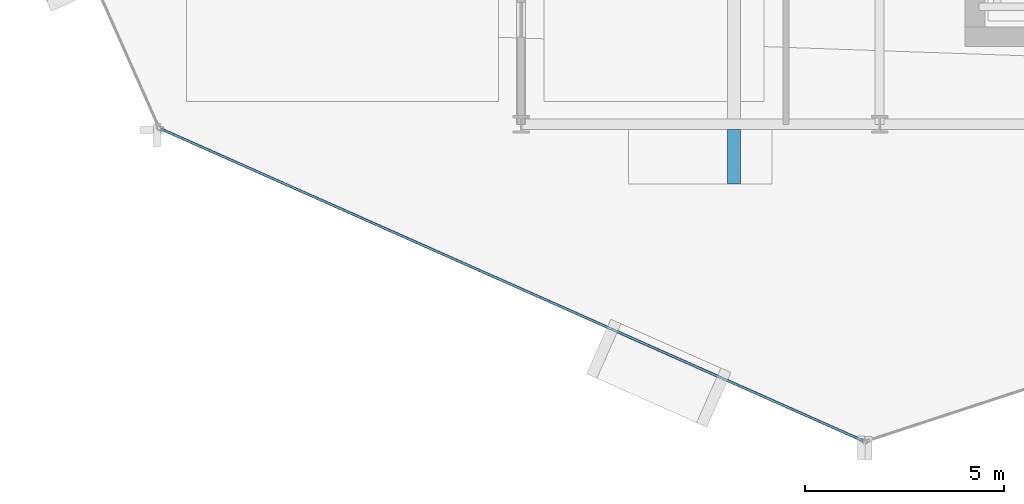
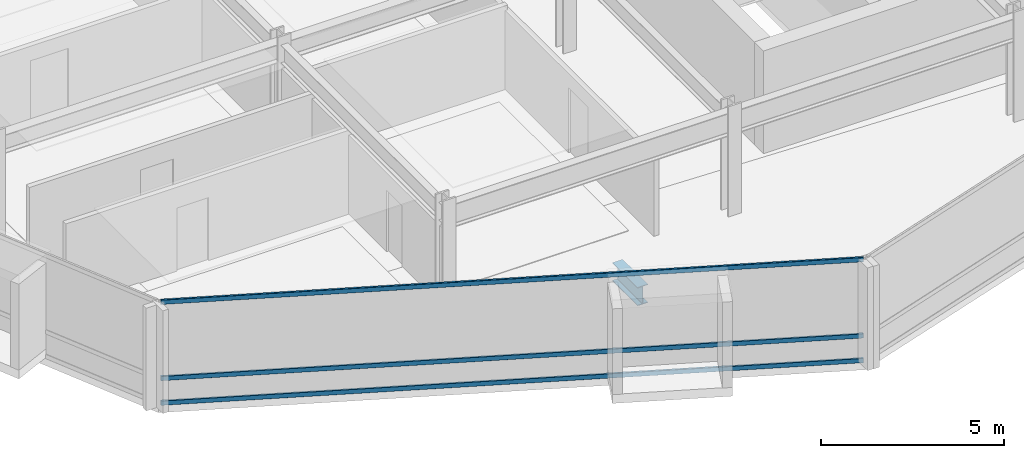
# One storey, part 3 of 29: 3 members, 1 beam, 1 element without a shape of its own.
"""IFC4 building model written with IfcOpenShell, lengths in metres."""

from ifc_helpers import new_model, si_unit, direction, frame, origin, origin_2d, place, context, subcontext, project, spatial, hollow_rectangle, i_section, extrude, material, layer, layer_set, material_profile, profile_set, type_object, element, aggregate, save


model = new_model("IFC4")

# Units and contexts
model_context = context("Model", 3, precision=1e-05, world=origin(), true_north=direction((0.0, 1.0)))
body_context = subcontext(model_context, "Body", "Model", "MODEL_VIEW")
ifc_project = project(units=[si_unit("LENGTHUNIT", "METRE"), si_unit("AREAUNIT", "SQUARE_METRE"), si_unit("VOLUMEUNIT", "CUBIC_METRE"), si_unit("PLANEANGLEUNIT", "RADIAN"), si_unit("MASSUNIT", "GRAM", prefix="KILO")], contexts=[model_context])

# Site, building, storey
site_placement = place(None, origin())
site = spatial("IfcSite", under=ifc_project, at=site_placement, CompositionType="ELEMENT")
building_placement = place(site_placement, origin())
building = spatial("IfcBuilding", under=site, at=building_placement, Name="Solvaryn Broadcast Tower", CompositionType="ELEMENT")
storey_placement = place(building_placement, frame((0.0, 0.0, 147.0)))
storey = spatial("IfcBuildingStorey", under=building, at=storey_placement, Name="L36", CompositionType="ELEMENT", Elevation=147.0)

# Beam
ifc_material_1 = material(Name="Steel ASTM A992 Grade 50", Category="steel")
ifc_material_profile_1 = material_profile(ifc_material_1, i_section(OverallWidth=0.323974609375, OverallDepth=0.611083984375, WebThickness=0.0126953125, FlangeThickness=0.01904296875, FilletRadius=0.014892578125, at=origin_2d()))
ifc_profile_set_1 = profile_set([ifc_material_profile_1], Name="Steel ASTM A992 Grade 50")
beam_type = type_object("IfcBeamType", Name="BM-CANT-TER", PredefinedType="BEAM", material=ifc_profile_set_1)
beam_placement = place(storey_placement, frame((23.35009765625, 8.875, -0.58544921875), z_axis=(0.0, -1.0, 0.0), x_axis=(1.0, 0.0, 0.0)))
element("IfcBeam", 1, at=beam_placement, inside=storey, type_object=beam_type, Name="L36 Bay-Box Cantilever Bracket 1", PredefinedType="BEAM", context=body_context, shape_type="SweptSolid", body=[
    extrude(i_section(OverallWidth=0.323974609375, OverallDepth=0.611083984375, WebThickness=0.0126953125, FlangeThickness=0.01904296875, FilletRadius=0.014892578125, at=origin_2d()), origin(), (0.0, 0.0, 1.0), 1.375),
])

# Curtain wall, members
ifc_material_2 = material(Name="Aluminium and Terracotta Unitised Curtain Wall", Category="masonry")
ifc_layer = layer(ifc_material_2, 0.199951171875)
ifc_layer_set = layer_set([ifc_layer], Name="CW-SYS2-LOWMID")
curtain_wall_type = type_object("IfcCurtainWallType", Name="CW-SYS2-LOWMID", PredefinedType="NOTDEFINED", material=ifc_layer_set)
curtain_wall_placement = place(storey_placement, origin())
curtain_wall = element("IfcCurtainWall", 2, at=curtain_wall_placement, inside=storey, type_object=curtain_wall_type, Name="L36 Curtain Wall DR3", PredefinedType="NOTDEFINED")
ifc_material_3 = material(Name="Anodised Aluminium 6063-T6", Category="aluminium")
ifc_material_profile_2 = material_profile(ifc_material_3, hollow_rectangle(XDim=0.06494140625, YDim=0.14990234375, WallThickness=0.00390625, InnerFilletRadius=0.00390625, OuterFilletRadius=0.008056640625, at=origin_2d()))
ifc_profile_set_2 = profile_set([ifc_material_profile_2], Name="Anodised Aluminium 6063-T6")
member_type = type_object("IfcMemberType", Name="CW-TRN-150", PredefinedType="USERDEFINED", material=ifc_profile_set_2)
member_1_placement = place(storey_placement, frame((8.962890625, 8.883544921875, 0.030029296875), z_axis=(0.913909703223, -0.405917546252, 0.0), x_axis=(0.405917546252, 0.913909703223, 0.0)))
member_1 = element("IfcMember", 3, at=member_1_placement, type_object=member_type, Name="CWS2 transom 1.1", ObjectType="TRANSOM", PredefinedType="USERDEFINED", context=body_context, shape_type="SweptSolid", body=[
    extrude(hollow_rectangle(XDim=0.06494140625, YDim=0.14990234375, WallThickness=0.00390625, InnerFilletRadius=0.00390625, OuterFilletRadius=0.008056640625, at=origin_2d()), origin(), (0.0, 0.0, 1.0), 19.27783203125),
])
member_2_placement = place(storey_placement, frame((8.962890625, 8.883544921875, 0.85009765625), z_axis=(0.913909703223, -0.405917546252, 0.0), x_axis=(0.405917546252, 0.913909703223, 0.0)))
member_2 = element("IfcMember", 4, at=member_2_placement, type_object=member_type, Name="CWS2 transom 1.2", ObjectType="TRANSOM", PredefinedType="USERDEFINED", context=body_context, shape_type="SweptSolid", body=[
    extrude(hollow_rectangle(XDim=0.06494140625, YDim=0.14990234375, WallThickness=0.00390625, InnerFilletRadius=0.00390625, OuterFilletRadius=0.008056640625, at=origin_2d()), origin(), (0.0, 0.0, 1.0), 19.27783203125),
])
member_3_placement = place(storey_placement, frame((8.962890625, 8.883544921875, 3.389892578125), z_axis=(0.913909703223, -0.405917546252, 0.0), x_axis=(0.405917546252, 0.913909703223, 0.0)))
member_3 = element("IfcMember", 5, at=member_3_placement, type_object=member_type, Name="CWS2 transom 1.3", ObjectType="TRANSOM", PredefinedType="USERDEFINED", context=body_context, shape_type="SweptSolid", body=[
    extrude(hollow_rectangle(XDim=0.06494140625, YDim=0.14990234375, WallThickness=0.00390625, InnerFilletRadius=0.00390625, OuterFilletRadius=0.008056640625, at=origin_2d()), origin(), (0.0, 0.0, 1.0), 19.27783203125),
])
aggregate(curtain_wall, [member_1, member_2, member_3])

save(model, "model.ifc")
